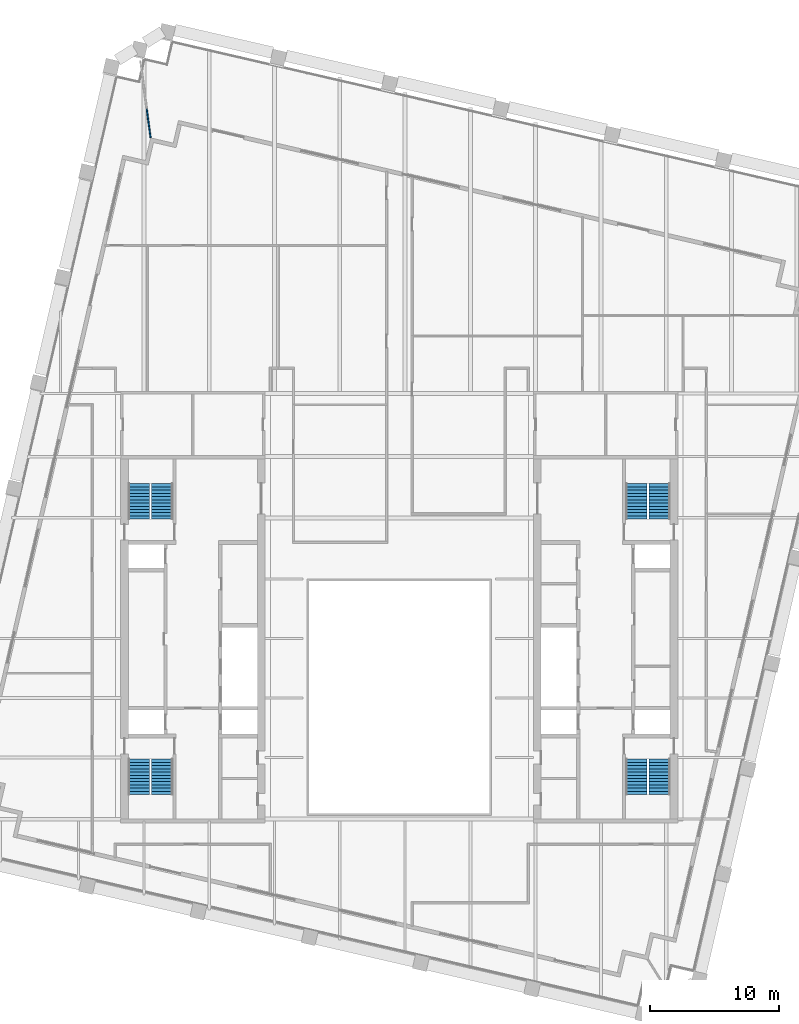
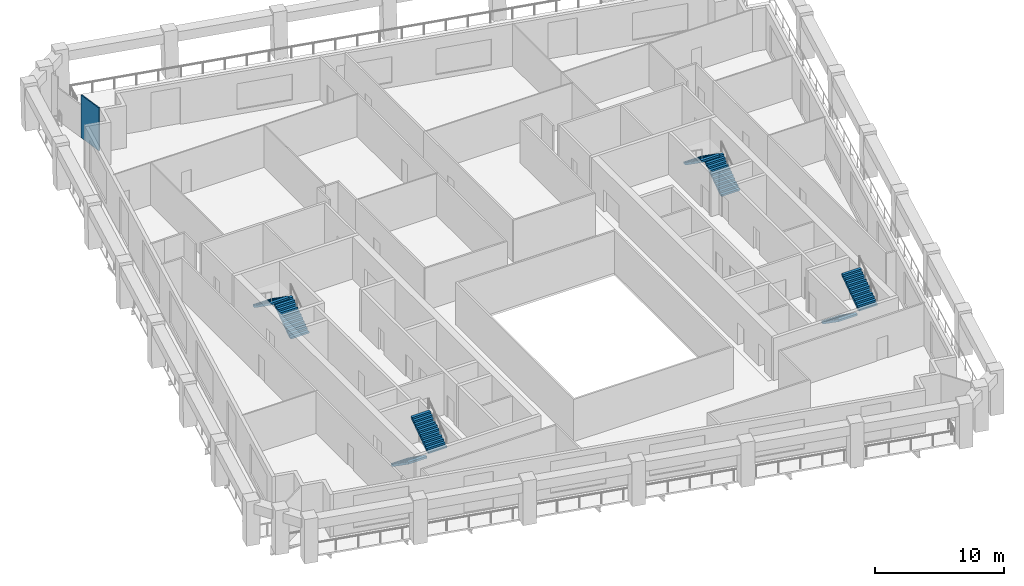
# One storey, part 8 of 10: 8 stair flights, 1 wall, 4 elements without a shape of their own.
"""IFC4 building model written with IfcOpenShell, lengths in metres."""

from ifc_helpers import new_model, si_unit, direction, frame, frame_2d, origin, place, context, subcontext, project, spatial, polyline, rectangle, outline, extrude, material, layer, layer_set, type_object, element, aggregate, save


model = new_model("IFC4")

# Units and contexts
model_context = context("Model", 3, precision=1e-05, world=origin(), true_north=direction((0.0, 1.0)))
body_context = subcontext(model_context, "Body", "Model", "MODEL_VIEW")
ifc_project = project(units=[si_unit("LENGTHUNIT", "METRE"), si_unit("AREAUNIT", "SQUARE_METRE"), si_unit("VOLUMEUNIT", "CUBIC_METRE"), si_unit("PLANEANGLEUNIT", "RADIAN"), si_unit("MASSUNIT", "GRAM", prefix="KILO")], contexts=[model_context])

# Site, building, storey
site_placement = place(None, origin())
site = spatial("IfcSite", under=ifc_project, at=site_placement, CompositionType="ELEMENT")
building_placement = place(site_placement, origin())
building = spatial("IfcBuilding", under=site, at=building_placement, Name="Ogive Exchange Tower", CompositionType="ELEMENT")
storey_placement = place(building_placement, frame((0.0, 0.0, 280.800048828125)))
storey = spatial("IfcBuildingStorey", under=building, at=storey_placement, Name="L61", CompositionType="ELEMENT", Elevation=280.800048828125)

# Wall
ifc_material_1 = material(Name="Laminated safety glass in steel frame", Category="steel")
ifc_layer = layer(ifc_material_1, 0.10009765625)
ifc_layer_set = layer_set([ifc_layer], Name="Loggia end screen 100")
wall_type = type_object("IfcWallType", Name="Loggia end screen 100", PredefinedType="STANDARD", material=ifc_layer_set)
wall_placement = place(storey_placement, frame((-19.27880859375, 50.353271484375, -0.050048828125), z_axis=(0.0, 0.0, 1.0), x_axis=(-0.132368977056, 0.991200511457, 0.0)))
element("IfcWall", 1, at=wall_placement, inside=storey, type_object=wall_type, Name="Loggia end screen C3", PredefinedType="STANDARD", context=body_context, shape_type="SweptSolid", body=[
    extrude(rectangle(XDim=2.25927734375, YDim=0.10009765625, at=frame_2d((1.129638671875, 0.0))), origin(), (0.0, 0.0, 1.0), 4.050048828125),
])

# Stair, stair flights
ifc_material_2 = material(Name="Concrete C40/50", Category="concrete")
stair_type = type_object("IfcStairType", Name="Exit stair 1650 wide", PredefinedType="HALF_TURN_STAIR", material=ifc_material_2)
stair_1_placement = place(storey_placement, origin())
stair_1 = element("IfcStair", 2, at=stair_1_placement, inside=storey, type_object=stair_type, Name="L61 exit stair ST1", PredefinedType="HALF_TURN_STAIR")
stair_flight_type = type_object("IfcStairFlightType", Name="Stair flight 1650 wide", PredefinedType="STRAIGHT", material=ifc_material_2)
stair_flight_1_placement = place(storey_placement, frame((-20.175048828125, 2.199951171875, 0.0), z_axis=(0.0, 0.0, 1.0), x_axis=(0.0, -1.0, 0.0)))
stair_flight_1 = element("IfcStairFlight", 3, at=stair_flight_1_placement, type_object=stair_flight_type, Name="ST1 flight 1", NumberOfRisers=12, NumberOfTreads=11, PredefinedType="STRAIGHT", RiserHeight=0.175, TreadLength=0.25, context=body_context, shape_type="SweptSolid", body=[
    extrude(outline(polyline([(0.0, 0.0), (0.0, 0.175048828125), (0.25, 0.175048828125), (0.25, 0.35009765625), (0.5, 0.35009765625), (0.5, 0.52490234375), (0.75, 0.52490234375), (0.75, 0.699951171875), (1.0, 0.699951171875), (1.0, 0.875), (1.25, 0.875), (1.25, 1.050048828125), (1.5, 1.050048828125), (1.5, 1.22509765625), (1.75, 1.22509765625), (1.75, 1.39990234375), (2.0, 1.39990234375), (2.0, 1.574951171875), (2.25, 1.574951171875), (2.25, 1.75), (2.5, 1.75), (2.5, 1.925048828125), (2.75, 1.925048828125), (2.75, 2.10009765625), (2.75, 1.741943359375), (0.261474609375, 0.0), (0.0, 0.0)])), frame((0.0, 0.824951171875, 0.0), z_axis=(0.0, -1.0, 0.0), x_axis=(1.0, 0.0, 0.0)), (0.0, 0.0, 1.0), 1.64990234375),
])
stair_flight_2_placement = place(storey_placement, frame((-18.375, -0.550048828125, 2.099853515625), z_axis=(0.0, 0.0, 1.0), x_axis=(0.0, 1.0, 0.0)))
stair_flight_2 = element("IfcStairFlight", 4, at=stair_flight_2_placement, type_object=stair_flight_type, Name="ST1 flight 2", NumberOfRisers=12, NumberOfTreads=11, PredefinedType="STRAIGHT", RiserHeight=0.175, TreadLength=0.25, context=body_context, shape_type="SweptSolid", body=[
    extrude(outline(polyline([(0.0, 0.0), (0.0, 0.175048828125), (0.25, 0.175048828125), (0.25, 0.35009765625), (0.5, 0.35009765625), (0.5, 0.52490234375), (0.75, 0.52490234375), (0.75, 0.699951171875), (1.0, 0.699951171875), (1.0, 0.875), (1.25, 0.875), (1.25, 1.050048828125), (1.5, 1.050048828125), (1.5, 1.22509765625), (1.75, 1.22509765625), (1.75, 1.39990234375), (2.0, 1.39990234375), (2.0, 1.574951171875), (2.25, 1.574951171875), (2.25, 1.75), (2.5, 1.75), (2.5, 1.925048828125), (2.75, 1.925048828125), (2.75, 2.10009765625), (2.75, 1.741943359375), (0.261474609375, 0.0), (0.0, 0.0)])), frame((0.0, 0.824951171875, 0.0), z_axis=(0.0, -1.0, 0.0), x_axis=(1.0, 0.0, 0.0)), (0.0, 0.0, 1.0), 1.64990234375),
])
aggregate(stair_1, [stair_flight_1, stair_flight_2])

stair_2_placement = place(storey_placement, origin())
stair_2 = element("IfcStair", 5, at=stair_2_placement, inside=storey, type_object=stair_type, Name="L61 exit stair ST2", PredefinedType="HALF_TURN_STAIR")
stair_flight_3_placement = place(storey_placement, frame((-18.375, 20.800048828125, 0.0), z_axis=(0.0, 0.0, 1.0), x_axis=(0.0, 1.0, 0.0)))
stair_flight_3 = element("IfcStairFlight", 6, at=stair_flight_3_placement, type_object=stair_flight_type, Name="ST2 flight 1", NumberOfRisers=12, NumberOfTreads=11, PredefinedType="STRAIGHT", RiserHeight=0.175, TreadLength=0.25, context=body_context, shape_type="SweptSolid", body=[
    extrude(outline(polyline([(0.0, 0.0), (0.0, 0.175048828125), (0.25, 0.175048828125), (0.25, 0.35009765625), (0.5, 0.35009765625), (0.5, 0.52490234375), (0.75, 0.52490234375), (0.75, 0.699951171875), (1.0, 0.699951171875), (1.0, 0.875), (1.25, 0.875), (1.25, 1.050048828125), (1.5, 1.050048828125), (1.5, 1.22509765625), (1.75, 1.22509765625), (1.75, 1.39990234375), (2.0, 1.39990234375), (2.0, 1.574951171875), (2.25, 1.574951171875), (2.25, 1.75), (2.5, 1.75), (2.5, 1.925048828125), (2.75, 1.925048828125), (2.75, 2.10009765625), (2.75, 1.741943359375), (0.261474609375, 0.0), (0.0, 0.0)])), frame((0.0, 0.824951171875, 0.0), z_axis=(0.0, -1.0, 0.0), x_axis=(1.0, 0.0, 0.0)), (0.0, 0.0, 1.0), 1.64990234375),
])
stair_flight_4_placement = place(storey_placement, frame((-20.175048828125, 23.550048828125, 2.099853515625), z_axis=(0.0, 0.0, 1.0), x_axis=(0.0, -1.0, 0.0)))
stair_flight_4 = element("IfcStairFlight", 7, at=stair_flight_4_placement, type_object=stair_flight_type, Name="ST2 flight 2", NumberOfRisers=12, NumberOfTreads=11, PredefinedType="STRAIGHT", RiserHeight=0.175, TreadLength=0.25, context=body_context, shape_type="SweptSolid", body=[
    extrude(outline(polyline([(0.0, 0.0), (0.0, 0.175048828125), (0.25, 0.175048828125), (0.25, 0.35009765625), (0.5, 0.35009765625), (0.5, 0.52490234375), (0.75, 0.52490234375), (0.75, 0.699951171875), (1.0, 0.699951171875), (1.0, 0.875), (1.25, 0.875), (1.25, 1.050048828125), (1.5, 1.050048828125), (1.5, 1.22509765625), (1.75, 1.22509765625), (1.75, 1.39990234375), (2.0, 1.39990234375), (2.0, 1.574951171875), (2.25, 1.574951171875), (2.25, 1.75), (2.5, 1.75), (2.5, 1.925048828125), (2.75, 1.925048828125), (2.75, 2.10009765625), (2.75, 1.741943359375), (0.261474609375, 0.0), (0.0, 0.0)])), frame((0.0, 0.824951171875, 0.0), z_axis=(0.0, -1.0, 0.0), x_axis=(1.0, 0.0, 0.0)), (0.0, 0.0, 1.0), 1.64990234375),
])
aggregate(stair_2, [stair_flight_3, stair_flight_4])

stair_3_placement = place(storey_placement, origin())
stair_3 = element("IfcStair", 8, at=stair_3_placement, inside=storey, type_object=stair_type, Name="L61 exit stair ST3", PredefinedType="HALF_TURN_STAIR")
stair_flight_5_placement = place(storey_placement, frame((18.375, 2.199951171875, 0.0), z_axis=(0.0, 0.0, 1.0), x_axis=(0.0, -1.0, 0.0)))
stair_flight_5 = element("IfcStairFlight", 9, at=stair_flight_5_placement, type_object=stair_flight_type, Name="ST3 flight 1", NumberOfRisers=12, NumberOfTreads=11, PredefinedType="STRAIGHT", RiserHeight=0.175, TreadLength=0.25, context=body_context, shape_type="SweptSolid", body=[
    extrude(outline(polyline([(0.0, 0.0), (0.0, 0.175048828125), (0.25, 0.175048828125), (0.25, 0.35009765625), (0.5, 0.35009765625), (0.5, 0.52490234375), (0.75, 0.52490234375), (0.75, 0.699951171875), (1.0, 0.699951171875), (1.0, 0.875), (1.25, 0.875), (1.25, 1.050048828125), (1.5, 1.050048828125), (1.5, 1.22509765625), (1.75, 1.22509765625), (1.75, 1.39990234375), (2.0, 1.39990234375), (2.0, 1.574951171875), (2.25, 1.574951171875), (2.25, 1.75), (2.5, 1.75), (2.5, 1.925048828125), (2.75, 1.925048828125), (2.75, 2.10009765625), (2.75, 1.741943359375), (0.261474609375, 0.0), (0.0, 0.0)])), frame((0.0, 0.824951171875, 0.0), z_axis=(0.0, -1.0, 0.0), x_axis=(1.0, 0.0, 0.0)), (0.0, 0.0, 1.0), 1.64990234375),
])
stair_flight_6_placement = place(storey_placement, frame((20.175048828125, -0.550048828125, 2.099853515625), z_axis=(0.0, 0.0, 1.0), x_axis=(0.0, 1.0, 0.0)))
stair_flight_6 = element("IfcStairFlight", 10, at=stair_flight_6_placement, type_object=stair_flight_type, Name="ST3 flight 2", NumberOfRisers=12, NumberOfTreads=11, PredefinedType="STRAIGHT", RiserHeight=0.175, TreadLength=0.25, context=body_context, shape_type="SweptSolid", body=[
    extrude(outline(polyline([(0.0, 0.0), (0.0, 0.175048828125), (0.25, 0.175048828125), (0.25, 0.35009765625), (0.5, 0.35009765625), (0.5, 0.52490234375), (0.75, 0.52490234375), (0.75, 0.699951171875), (1.0, 0.699951171875), (1.0, 0.875), (1.25, 0.875), (1.25, 1.050048828125), (1.5, 1.050048828125), (1.5, 1.22509765625), (1.75, 1.22509765625), (1.75, 1.39990234375), (2.0, 1.39990234375), (2.0, 1.574951171875), (2.25, 1.574951171875), (2.25, 1.75), (2.5, 1.75), (2.5, 1.925048828125), (2.75, 1.925048828125), (2.75, 2.10009765625), (2.75, 1.741943359375), (0.261474609375, 0.0), (0.0, 0.0)])), frame((0.0, 0.824951171875, 0.0), z_axis=(0.0, -1.0, 0.0), x_axis=(1.0, 0.0, 0.0)), (0.0, 0.0, 1.0), 1.64990234375),
])
aggregate(stair_3, [stair_flight_5, stair_flight_6])

stair_4_placement = place(storey_placement, origin())
stair_4 = element("IfcStair", 11, at=stair_4_placement, inside=storey, type_object=stair_type, Name="L61 exit stair ST4", PredefinedType="HALF_TURN_STAIR")
stair_flight_7_placement = place(storey_placement, frame((20.175048828125, 20.800048828125, 0.0), z_axis=(0.0, 0.0, 1.0), x_axis=(0.0, 1.0, 0.0)))
stair_flight_7 = element("IfcStairFlight", 12, at=stair_flight_7_placement, type_object=stair_flight_type, Name="ST4 flight 1", NumberOfRisers=12, NumberOfTreads=11, PredefinedType="STRAIGHT", RiserHeight=0.175, TreadLength=0.25, context=body_context, shape_type="SweptSolid", body=[
    extrude(outline(polyline([(0.0, 0.0), (0.0, 0.175048828125), (0.25, 0.175048828125), (0.25, 0.35009765625), (0.5, 0.35009765625), (0.5, 0.52490234375), (0.75, 0.52490234375), (0.75, 0.699951171875), (1.0, 0.699951171875), (1.0, 0.875), (1.25, 0.875), (1.25, 1.050048828125), (1.5, 1.050048828125), (1.5, 1.22509765625), (1.75, 1.22509765625), (1.75, 1.39990234375), (2.0, 1.39990234375), (2.0, 1.574951171875), (2.25, 1.574951171875), (2.25, 1.75), (2.5, 1.75), (2.5, 1.925048828125), (2.75, 1.925048828125), (2.75, 2.10009765625), (2.75, 1.741943359375), (0.261474609375, 0.0), (0.0, 0.0)])), frame((0.0, 0.824951171875, 0.0), z_axis=(0.0, -1.0, 0.0), x_axis=(1.0, 0.0, 0.0)), (0.0, 0.0, 1.0), 1.64990234375),
])
stair_flight_8_placement = place(storey_placement, frame((18.375, 23.550048828125, 2.099853515625), z_axis=(0.0, 0.0, 1.0), x_axis=(0.0, -1.0, 0.0)))
stair_flight_8 = element("IfcStairFlight", 13, at=stair_flight_8_placement, type_object=stair_flight_type, Name="ST4 flight 2", NumberOfRisers=12, NumberOfTreads=11, PredefinedType="STRAIGHT", RiserHeight=0.175, TreadLength=0.25, context=body_context, shape_type="SweptSolid", body=[
    extrude(outline(polyline([(0.0, 0.0), (0.0, 0.175048828125), (0.25, 0.175048828125), (0.25, 0.35009765625), (0.5, 0.35009765625), (0.5, 0.52490234375), (0.75, 0.52490234375), (0.75, 0.699951171875), (1.0, 0.699951171875), (1.0, 0.875), (1.25, 0.875), (1.25, 1.050048828125), (1.5, 1.050048828125), (1.5, 1.22509765625), (1.75, 1.22509765625), (1.75, 1.39990234375), (2.0, 1.39990234375), (2.0, 1.574951171875), (2.25, 1.574951171875), (2.25, 1.75), (2.5, 1.75), (2.5, 1.925048828125), (2.75, 1.925048828125), (2.75, 2.10009765625), (2.75, 1.741943359375), (0.261474609375, 0.0), (0.0, 0.0)])), frame((0.0, 0.824951171875, 0.0), z_axis=(0.0, -1.0, 0.0), x_axis=(1.0, 0.0, 0.0)), (0.0, 0.0, 1.0), 1.64990234375),
])
aggregate(stair_4, [stair_flight_7, stair_flight_8])

save(model, "model.ifc")
